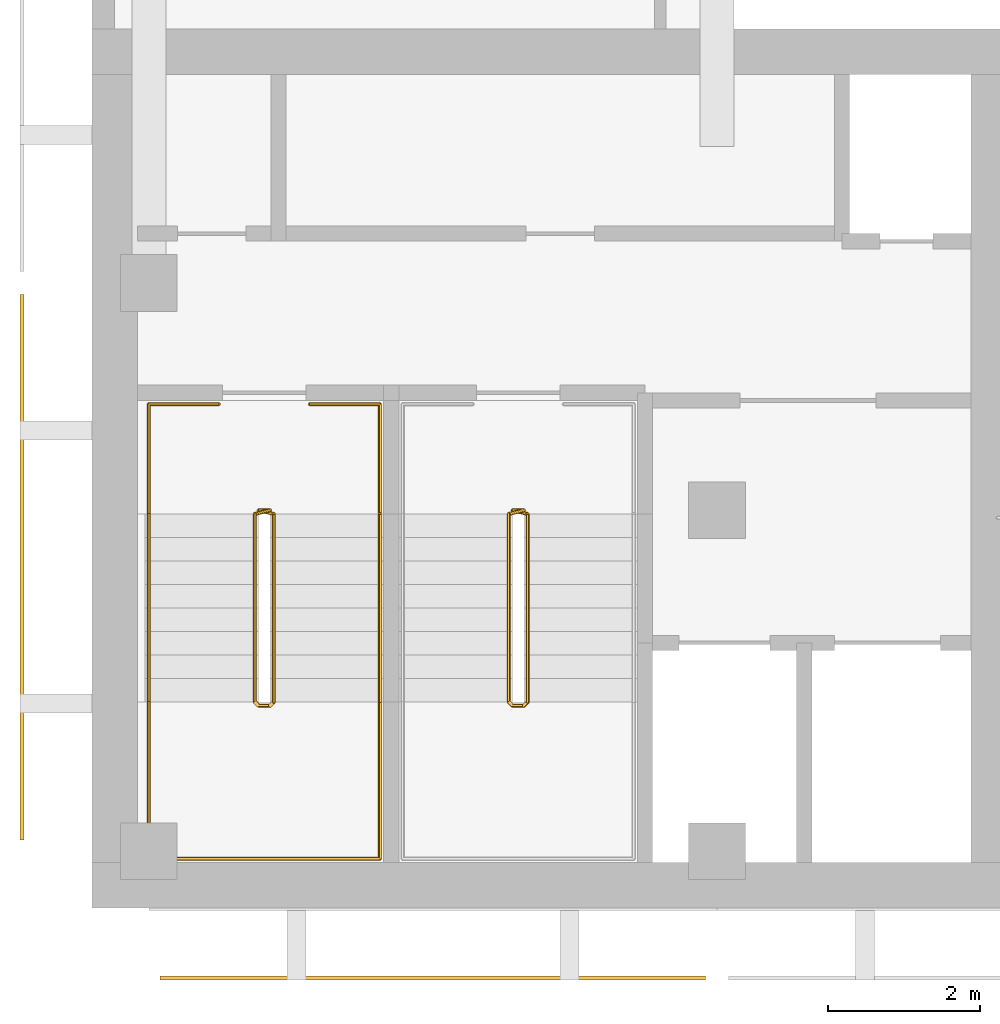
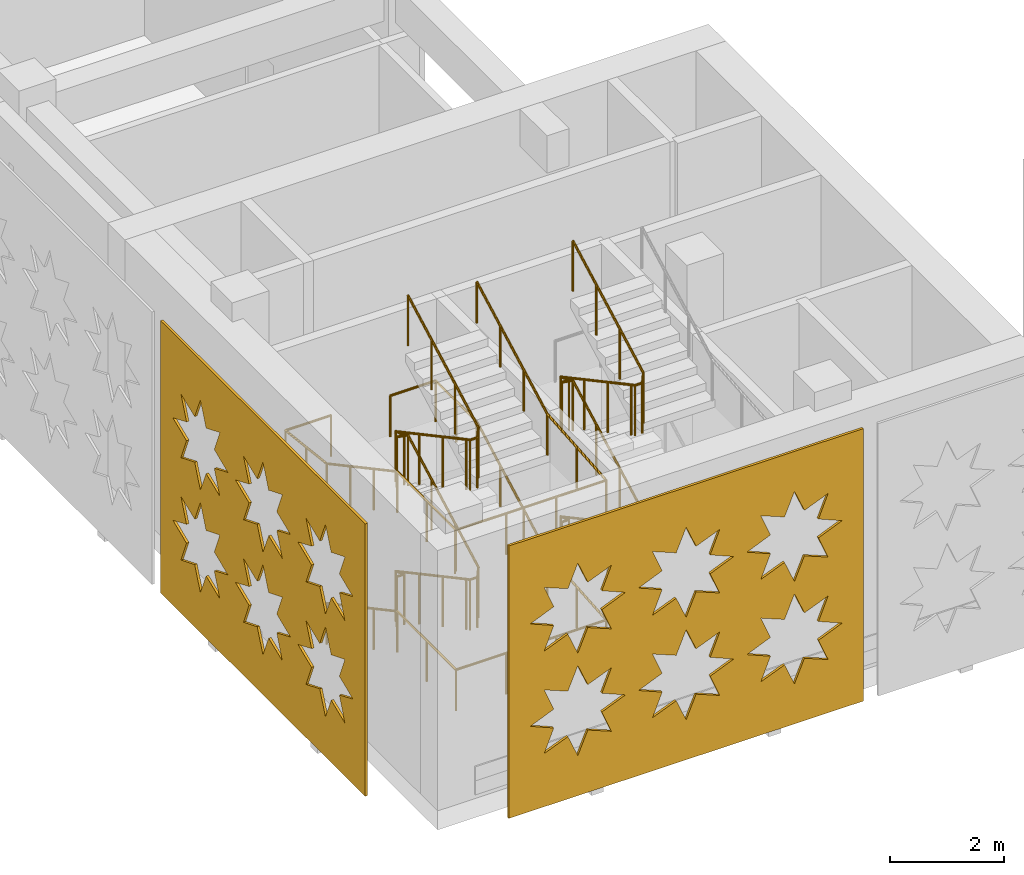
# One storey, part 28 of 46: 4 railings, 2 coverings.
"""IFC4 building model written with IfcOpenShell, lengths in metres."""

from ifc_helpers import new_model, si_unit, direction, frame, origin, origin_2d, place, context, subcontext, project, spatial, polyline, circle, outline, extrude, material, layer, layer_set, type_object, element, save


model = new_model("IFC4")

# Units and contexts
model_context = context("Model", 3, precision=1e-05, world=origin(), true_north=direction((0.0, 1.0)))
body_context = subcontext(model_context, "Body", "Model", "MODEL_VIEW")
ifc_project = project(units=[si_unit("LENGTHUNIT", "METRE"), si_unit("AREAUNIT", "SQUARE_METRE"), si_unit("VOLUMEUNIT", "CUBIC_METRE"), si_unit("PLANEANGLEUNIT", "RADIAN"), si_unit("MASSUNIT", "GRAM", prefix="KILO")], contexts=[model_context])

# Site, building, storey
site_placement = place(None, origin())
site = spatial("IfcSite", under=ifc_project, at=site_placement, CompositionType="ELEMENT")
building_placement = place(site_placement, origin())
building = spatial("IfcBuilding", under=site, at=building_placement, Name="Tessera Arch", CompositionType="ELEMENT")
storey_placement = place(building_placement, frame((0.0, 0.0, 8.0)))
storey = spatial("IfcBuildingStorey", under=building, at=storey_placement, Name="L01", CompositionType="ELEMENT", Elevation=8.0)

# Coverings
ifc_material_1 = material(Name="Anodised aluminium pale metal", Category="aluminium")
ifc_layer = layer(ifc_material_1, 0.050048828125)
ifc_layer_set = layer_set([ifc_layer], Name="Museum lattice skin panel")
covering_type = type_object("IfcCoveringType", Name="Museum lattice skin panel", PredefinedType="CLADDING", material=ifc_layer_set)
covering_1_placement = place(storey_placement, frame((-31.64990234375, -33.449951171875, 5.949951171875), z_axis=(0.0, 1.0, 0.0), x_axis=(1.0, 0.0, 0.0)))
element("IfcCovering", 1, at=covering_1_placement, inside=storey, type_object=covering_type, Name="Museum lattice skin L01 1-2", PredefinedType="CLADDING", context=body_context, shape_type="SweptSolid", body=[
    extrude(outline(polyline([(0.0, 0.0), (7.199951171875, 0.0), (7.199951171875, 5.849853515625), (0.0, 5.849853515625), (0.0, 0.0)]), holes=[polyline([(2.367919921875, 4.02490234375), (1.887939453125, 3.822998046875), (2.083984375, 3.341064453125), (1.601806640625, 3.536865234375), (1.39990234375, 3.056884765625), (1.197998046875, 3.536865234375), (0.7158203125, 3.341064453125), (0.911865234375, 3.822998046875), (0.431884765625, 4.02490234375), (0.911865234375, 4.22705078125), (0.7158203125, 4.708984375), (1.197998046875, 4.512939453125), (1.39990234375, 4.992919921875), (1.601806640625, 4.512939453125), (2.083984375, 4.708984375), (1.887939453125, 4.22705078125), (2.367919921875, 4.02490234375)]), polyline([(2.367919921875, 1.824951171875), (1.887939453125, 1.623046875), (2.083984375, 1.140869140625), (1.601806640625, 1.3369140625), (1.39990234375, 0.85693359375), (1.197998046875, 1.3369140625), (0.7158203125, 1.140869140625), (0.911865234375, 1.623046875), (0.431884765625, 1.824951171875), (0.911865234375, 2.02685546875), (0.7158203125, 2.509033203125), (1.197998046875, 2.31298828125), (1.39990234375, 2.79296875), (1.601806640625, 2.31298828125), (2.083984375, 2.509033203125), (1.887939453125, 2.02685546875), (2.367919921875, 1.824951171875)]), polyline([(4.56787109375, 4.02490234375), (4.087890625, 3.822998046875), (4.283935546875, 3.341064453125), (3.802001953125, 3.536865234375), (3.599853515625, 3.056884765625), (3.39794921875, 3.536865234375), (2.916015625, 3.341064453125), (3.11181640625, 3.822998046875), (2.6318359375, 4.02490234375), (3.11181640625, 4.22705078125), (2.916015625, 4.708984375), (3.39794921875, 4.512939453125), (3.599853515625, 4.992919921875), (3.802001953125, 4.512939453125), (4.283935546875, 4.708984375), (4.087890625, 4.22705078125), (4.56787109375, 4.02490234375)]), polyline([(4.56787109375, 1.824951171875), (4.087890625, 1.623046875), (4.283935546875, 1.140869140625), (3.802001953125, 1.3369140625), (3.599853515625, 0.85693359375), (3.39794921875, 1.3369140625), (2.916015625, 1.140869140625), (3.11181640625, 1.623046875), (2.6318359375, 1.824951171875), (3.11181640625, 2.02685546875), (2.916015625, 2.509033203125), (3.39794921875, 2.31298828125), (3.599853515625, 2.79296875), (3.802001953125, 2.31298828125), (4.283935546875, 2.509033203125), (4.087890625, 2.02685546875), (4.56787109375, 1.824951171875)]), polyline([(6.767822265625, 4.02490234375), (6.287841796875, 3.822998046875), (6.48388671875, 3.341064453125), (6.001953125, 3.536865234375), (5.7998046875, 3.056884765625), (5.597900390625, 3.536865234375), (5.115966796875, 3.341064453125), (5.31201171875, 3.822998046875), (4.831787109375, 4.02490234375), (5.31201171875, 4.22705078125), (5.115966796875, 4.708984375), (5.597900390625, 4.512939453125), (5.7998046875, 4.992919921875), (6.001953125, 4.512939453125), (6.48388671875, 4.708984375), (6.287841796875, 4.22705078125), (6.767822265625, 4.02490234375)]), polyline([(6.767822265625, 1.824951171875), (6.287841796875, 1.623046875), (6.48388671875, 1.140869140625), (6.001953125, 1.3369140625), (5.7998046875, 0.85693359375), (5.597900390625, 1.3369140625), (5.115966796875, 1.140869140625), (5.31201171875, 1.623046875), (4.831787109375, 1.824951171875), (5.31201171875, 2.02685546875), (5.115966796875, 2.509033203125), (5.597900390625, 2.31298828125), (5.7998046875, 2.79296875), (6.001953125, 2.31298828125), (6.48388671875, 2.509033203125), (6.287841796875, 2.02685546875), (6.767822265625, 1.824951171875)])]), origin(), (0.0, 0.0, -1.0), 0.050048828125),
])
covering_2_placement = place(storey_placement, frame((-33.449951171875, -24.449951171875, 5.949951171875), z_axis=(1.0, 0.0, 0.0), x_axis=(0.0, -1.0, 0.0)))
element("IfcCovering", 2, at=covering_2_placement, inside=storey, type_object=covering_type, Name="Museum lattice skin L01 6-13", PredefinedType="CLADDING", context=body_context, shape_type="SweptSolid", body=[
    extrude(outline(polyline([(0.0, 0.0), (7.199951171875, 0.0), (7.199951171875, 5.849853515625), (0.0, 5.849853515625), (0.0, 0.0)]), holes=[polyline([(2.3681640625, 4.02490234375), (1.887939453125, 3.822998046875), (2.083984375, 3.341064453125), (1.60205078125, 3.536865234375), (1.400146484375, 3.056884765625), (1.197998046875, 3.536865234375), (0.716064453125, 3.341064453125), (0.912109375, 3.822998046875), (0.43212890625, 4.02490234375), (0.912109375, 4.22705078125), (0.716064453125, 4.708984375), (1.197998046875, 4.512939453125), (1.400146484375, 4.992919921875), (1.60205078125, 4.512939453125), (2.083984375, 4.708984375), (1.887939453125, 4.22705078125), (2.3681640625, 4.02490234375)]), polyline([(2.3681640625, 1.824951171875), (1.887939453125, 1.623046875), (2.083984375, 1.140869140625), (1.60205078125, 1.3369140625), (1.400146484375, 0.85693359375), (1.197998046875, 1.3369140625), (0.716064453125, 1.140869140625), (0.912109375, 1.623046875), (0.43212890625, 1.824951171875), (0.912109375, 2.02685546875), (0.716064453125, 2.509033203125), (1.197998046875, 2.31298828125), (1.400146484375, 2.79296875), (1.60205078125, 2.31298828125), (2.083984375, 2.509033203125), (1.887939453125, 2.02685546875), (2.3681640625, 1.824951171875)]), polyline([(4.568115234375, 4.02490234375), (4.088134765625, 3.822998046875), (4.283935546875, 3.341064453125), (3.802001953125, 3.536865234375), (3.60009765625, 3.056884765625), (3.39794921875, 3.536865234375), (2.916015625, 3.341064453125), (3.112060546875, 3.822998046875), (2.632080078125, 4.02490234375), (3.112060546875, 4.22705078125), (2.916015625, 4.708984375), (3.39794921875, 4.512939453125), (3.60009765625, 4.992919921875), (3.802001953125, 4.512939453125), (4.283935546875, 4.708984375), (4.088134765625, 4.22705078125), (4.568115234375, 4.02490234375)]), polyline([(4.568115234375, 1.824951171875), (4.088134765625, 1.623046875), (4.283935546875, 1.140869140625), (3.802001953125, 1.3369140625), (3.60009765625, 0.85693359375), (3.39794921875, 1.3369140625), (2.916015625, 1.140869140625), (3.112060546875, 1.623046875), (2.632080078125, 1.824951171875), (3.112060546875, 2.02685546875), (2.916015625, 2.509033203125), (3.39794921875, 2.31298828125), (3.60009765625, 2.79296875), (3.802001953125, 2.31298828125), (4.283935546875, 2.509033203125), (4.088134765625, 2.02685546875), (4.568115234375, 1.824951171875)]), polyline([(6.76806640625, 4.02490234375), (6.2880859375, 3.822998046875), (6.484130859375, 3.341064453125), (6.001953125, 3.536865234375), (5.800048828125, 3.056884765625), (5.59814453125, 3.536865234375), (5.115966796875, 3.341064453125), (5.31201171875, 3.822998046875), (4.83203125, 4.02490234375), (5.31201171875, 4.22705078125), (5.115966796875, 4.708984375), (5.59814453125, 4.512939453125), (5.800048828125, 4.992919921875), (6.001953125, 4.512939453125), (6.484130859375, 4.708984375), (6.2880859375, 4.22705078125), (6.76806640625, 4.02490234375)]), polyline([(6.76806640625, 1.824951171875), (6.2880859375, 1.623046875), (6.484130859375, 1.140869140625), (6.001953125, 1.3369140625), (5.800048828125, 0.85693359375), (5.59814453125, 1.3369140625), (5.115966796875, 1.140869140625), (5.31201171875, 1.623046875), (4.83203125, 1.824951171875), (5.31201171875, 2.02685546875), (5.115966796875, 2.509033203125), (5.59814453125, 2.31298828125), (5.800048828125, 2.79296875), (6.001953125, 2.31298828125), (6.484130859375, 2.509033203125), (6.2880859375, 2.02685546875), (6.76806640625, 1.824951171875)])]), origin(), (0.0, 0.0, -1.0), 0.050048828125),
])

# Railings
ifc_material_2 = material(Name="Painted steel balustrade", Category="steel")
railing_type_1 = type_object("IfcRailingType", Name="Stair guard 1100", PredefinedType="GUARDRAIL", material=ifc_material_2)
railing_1_placement = place(storey_placement, frame((-30.35009765625, -27.300048828125, 0.0)))
element("IfcRailing", 3, at=railing_1_placement, inside=storey, type_object=railing_type_1, Name="L01 M2a stair guard 1", PredefinedType="GUARDRAIL", context=body_context, shape_type="SweptSolid", body=[
    extrude(circle(Radius=0.02392578125, at=origin_2d()), frame((-0.00390625, 0.0, 1.076171875), z_axis=(1.0, 0.0, 0.0), x_axis=(0.0, 1.0, 0.0)), (0.0, 0.0, 1.0), 0.158203125),
    extrude(circle(Radius=0.02392578125, at=origin_2d()), frame((0.153076171875, 0.000732421875, 1.073486328125), z_axis=(-0.754182335027, -0.188775798145, 0.628945707965), x_axis=(0.242814311512, -0.970072785993, 0.0)), (0.0, 0.0, 1.0), 0.273193359375),
    extrude(circle(Radius=0.02392578125, at=origin_2d()), frame((-0.0498046875, -0.046630859375, 1.240966796875), z_axis=(0.0, -0.880785522881, 0.473515430248), x_axis=(1.0, 0.0, 0.0)), (0.0, 0.0, 1.0), 2.82373046875),
    extrude(circle(Radius=0.02392578125, at=origin_2d()), frame((-0.052734375, -2.527099609375, 2.576171875), z_axis=(0.707106781187, -0.707106781187, 0.0), x_axis=(0.707106781187, 0.707106781187, 0.0)), (0.0, 0.0, 1.0), 0.078369140625),
    extrude(circle(Radius=0.02392578125, at=origin_2d()), frame((-0.00390625, -2.579833984375, 2.576171875), z_axis=(1.0, 0.0, 0.0), x_axis=(0.0, 1.0, 0.0)), (0.0, 0.0, 1.0), 0.158203125),
    extrude(circle(Radius=0.02392578125, at=origin_2d()), frame((0.14892578125, -2.5810546875, 2.572265625), z_axis=(0.276389281352, 0.275041040955, 0.920848191041), x_axis=(-0.705375805398, 0.708833529934, 0.0)), (0.0, 0.0, 1.0), 0.18896484375),
    extrude(circle(Radius=0.02392578125, at=origin_2d()), frame((0.2001953125, -2.533447265625, 2.740966796875), z_axis=(0.0, 0.880785522881, 0.473515430248), x_axis=(-1.0, 0.0, 0.0)), (0.0, 0.0, 1.0), 2.82373046875),
    extrude(circle(Radius=0.02392578125, at=origin_2d()), frame((0.2041015625, -0.051025390625, 4.076171875), z_axis=(-0.970142500145, 0.242535625036, 0.0), x_axis=(-0.242535625036, -0.970142500145, 0.0)), (0.0, 0.0, 1.0), 0.21435546875),
    extrude(circle(Radius=0.02392578125, at=origin_2d()), frame((-0.00390625, 0.0, 4.076171875), z_axis=(1.0, 0.0, 0.0), x_axis=(0.0, 1.0, 0.0)), (0.0, 0.0, 1.0), 0.158203125),
    extrude(circle(Radius=0.02392578125, at=origin_2d()), frame((0.153076171875, 0.000732421875, 4.073486328125), z_axis=(-0.754182335027, -0.188775798145, 0.628945707965), x_axis=(0.242814311512, -0.970072785993, 0.0)), (0.0, 0.0, 1.0), 0.273193359375),
    extrude(circle(Radius=0.02392578125, at=origin_2d()), frame((-0.0498046875, -0.046630859375, 4.240966796875), z_axis=(0.0, -0.880785522881, 0.473515430248), x_axis=(1.0, 0.0, 0.0)), (0.0, 0.0, 1.0), 2.82373046875),
    extrude(circle(Radius=0.02392578125, at=origin_2d()), frame((-0.052734375, -2.527099609375, 5.576171875), z_axis=(0.707106781187, -0.707106781187, 0.0), x_axis=(0.707106781187, 0.707106781187, 0.0)), (0.0, 0.0, 1.0), 0.078369140625),
    extrude(circle(Radius=0.02392578125, at=origin_2d()), frame((-0.00390625, -2.579833984375, 5.576171875), z_axis=(1.0, 0.0, 0.0), x_axis=(0.0, 1.0, 0.0)), (0.0, 0.0, 1.0), 0.158203125),
    extrude(circle(Radius=0.02392578125, at=origin_2d()), frame((0.14892578125, -2.5810546875, 5.572265625), z_axis=(0.276389281352, 0.275041040955, 0.920848191041), x_axis=(-0.705375805398, 0.708833529934, 0.0)), (0.0, 0.0, 1.0), 0.18896484375),
    extrude(circle(Radius=0.02392578125, at=origin_2d()), frame((0.2001953125, -2.533447265625, 5.740966796875), z_axis=(0.0, 0.880785522881, 0.473515430248), x_axis=(-1.0, 0.0, 0.0)), (0.0, 0.0, 1.0), 2.82373046875),
    extrude(circle(Radius=0.02099609375, at=origin_2d()), origin(), (0.0, 0.0, 1.0), 1.06396484375),
    extrude(circle(Radius=0.02099609375, at=origin_2d()), frame((0.150146484375, 0.0, 0.0)), (0.0, 0.0, 1.0), 1.06396484375),
    extrude(circle(Radius=0.02099609375, at=origin_2d()), frame((-0.0498046875, -0.050048828125, 0.166748046875)), (0.0, 0.0, 1.0), 1.06396484375),
    extrude(circle(Radius=0.02099609375, at=origin_2d()), frame((-0.0498046875, -0.876708984375, 0.611083984375)), (0.0, 0.0, 1.0), 1.06396484375),
    extrude(circle(Radius=0.02099609375, at=origin_2d()), frame((-0.0498046875, -1.703369140625, 1.0556640625)), (0.0, 0.0, 1.0), 1.06396484375),
    extrude(circle(Radius=0.02099609375, at=origin_2d()), frame((-0.0498046875, -2.530029296875, 1.5)), (0.0, 0.0, 1.0), 1.06396484375),
    extrude(circle(Radius=0.02099609375, at=origin_2d()), frame((0.0, -2.579833984375, 1.5)), (0.0, 0.0, 1.0), 1.06396484375),
    extrude(circle(Radius=0.02099609375, at=origin_2d()), frame((0.150146484375, -2.579833984375, 1.5)), (0.0, 0.0, 1.0), 1.06396484375),
    extrude(circle(Radius=0.02099609375, at=origin_2d()), frame((0.2001953125, -2.530029296875, 1.666748046875)), (0.0, 0.0, 1.0), 1.06396484375),
    extrude(circle(Radius=0.02099609375, at=origin_2d()), frame((0.2001953125, -1.703369140625, 2.111083984375)), (0.0, 0.0, 1.0), 1.06396484375),
    extrude(circle(Radius=0.02099609375, at=origin_2d()), frame((0.2001953125, -0.876708984375, 2.5556640625)), (0.0, 0.0, 1.0), 1.06396484375),
    extrude(circle(Radius=0.02099609375, at=origin_2d()), frame((0.2001953125, -0.050048828125, 3.0)), (0.0, 0.0, 1.0), 1.06396484375),
    extrude(circle(Radius=0.02099609375, at=origin_2d()), frame((0.0, 0.0, 3.0)), (0.0, 0.0, 1.0), 1.06396484375),
    extrude(circle(Radius=0.02099609375, at=origin_2d()), frame((0.150146484375, 0.0, 3.0)), (0.0, 0.0, 1.0), 1.06396484375),
    extrude(circle(Radius=0.02099609375, at=origin_2d()), frame((-0.0498046875, -0.050048828125, 3.166748046875)), (0.0, 0.0, 1.0), 1.06396484375),
    extrude(circle(Radius=0.02099609375, at=origin_2d()), frame((-0.0498046875, -0.876708984375, 3.611083984375)), (0.0, 0.0, 1.0), 1.06396484375),
    extrude(circle(Radius=0.02099609375, at=origin_2d()), frame((-0.0498046875, -1.703369140625, 4.0556640625)), (0.0, 0.0, 1.0), 1.06396484375),
    extrude(circle(Radius=0.02099609375, at=origin_2d()), frame((-0.0498046875, -2.530029296875, 4.5)), (0.0, 0.0, 1.0), 1.06396484375),
    extrude(circle(Radius=0.02099609375, at=origin_2d()), frame((0.0, -2.579833984375, 4.5)), (0.0, 0.0, 1.0), 1.06396484375),
    extrude(circle(Radius=0.02099609375, at=origin_2d()), frame((0.150146484375, -2.579833984375, 4.5)), (0.0, 0.0, 1.0), 1.06396484375),
    extrude(circle(Radius=0.02099609375, at=origin_2d()), frame((0.2001953125, -2.530029296875, 4.666748046875)), (0.0, 0.0, 1.0), 1.06396484375),
    extrude(circle(Radius=0.02099609375, at=origin_2d()), frame((0.2001953125, -1.703369140625, 5.111083984375)), (0.0, 0.0, 1.0), 1.06396484375),
    extrude(circle(Radius=0.02099609375, at=origin_2d()), frame((0.2001953125, -0.876708984375, 5.5556640625)), (0.0, 0.0, 1.0), 1.06396484375),
    extrude(circle(Radius=0.02099609375, at=origin_2d()), frame((0.2001953125, -0.050048828125, 6.0)), (0.0, 0.0, 1.0), 1.06396484375),
])
railing_2_placement = place(storey_placement, frame((-27.0, -27.300048828125, 0.0)))
element("IfcRailing", 4, at=railing_2_placement, inside=storey, type_object=railing_type_1, Name="L01 M2b stair guard 1", PredefinedType="GUARDRAIL", context=body_context, shape_type="SweptSolid", body=[
    extrude(circle(Radius=0.02392578125, at=origin_2d()), frame((-0.00390625, 0.0, 1.076171875), z_axis=(1.0, 0.0, 0.0), x_axis=(0.0, 1.0, 0.0)), (0.0, 0.0, 1.0), 0.157958984375),
    extrude(circle(Radius=0.02392578125, at=origin_2d()), frame((0.15283203125, 0.000732421875, 1.073486328125), z_axis=(-0.754182335027, -0.188775798145, 0.628945707965), x_axis=(0.242814311512, -0.970072785993, 0.0)), (0.0, 0.0, 1.0), 0.273193359375),
    extrude(circle(Radius=0.02392578125, at=origin_2d()), frame((-0.050048828125, -0.046630859375, 1.240966796875), z_axis=(0.0, -0.880785522881, 0.473515430248), x_axis=(1.0, 0.0, 0.0)), (0.0, 0.0, 1.0), 2.82373046875),
    extrude(circle(Radius=0.02392578125, at=origin_2d()), frame((-0.052978515625, -2.527099609375, 2.576171875), z_axis=(0.708833529934, -0.705375805398, 0.0), x_axis=(0.705375805398, 0.708833529934, 0.0)), (0.0, 0.0, 1.0), 0.07861328125),
    extrude(circle(Radius=0.02392578125, at=origin_2d()), frame((-0.00390625, -2.579833984375, 2.576171875), z_axis=(1.0, 0.0, 0.0), x_axis=(0.0, 1.0, 0.0)), (0.0, 0.0, 1.0), 0.157958984375),
    extrude(circle(Radius=0.02392578125, at=origin_2d()), frame((0.148681640625, -2.5810546875, 2.572265625), z_axis=(0.276389281352, 0.275041040955, 0.920848191041), x_axis=(-0.705375805398, 0.708833529934, 0.0)), (0.0, 0.0, 1.0), 0.18896484375),
    extrude(circle(Radius=0.02392578125, at=origin_2d()), frame((0.199951171875, -2.533447265625, 2.740966796875), z_axis=(0.0, 0.880785522881, 0.473515430248), x_axis=(-1.0, 0.0, 0.0)), (0.0, 0.0, 1.0), 2.82373046875),
    extrude(circle(Radius=0.02392578125, at=origin_2d()), frame((0.203857421875, -0.051025390625, 4.076171875), z_axis=(-0.970072785993, 0.242814311512, 0.0), x_axis=(-0.242814311512, -0.970072785993, 0.0)), (0.0, 0.0, 1.0), 0.214111328125),
    extrude(circle(Radius=0.02392578125, at=origin_2d()), frame((-0.00390625, 0.0, 4.076171875), z_axis=(1.0, 0.0, 0.0), x_axis=(0.0, 1.0, 0.0)), (0.0, 0.0, 1.0), 0.157958984375),
    extrude(circle(Radius=0.02392578125, at=origin_2d()), frame((0.15283203125, 0.000732421875, 4.073486328125), z_axis=(-0.754182335027, -0.188775798145, 0.628945707965), x_axis=(0.242814311512, -0.970072785993, 0.0)), (0.0, 0.0, 1.0), 0.273193359375),
    extrude(circle(Radius=0.02392578125, at=origin_2d()), frame((-0.050048828125, -0.046630859375, 4.240966796875), z_axis=(0.0, -0.880785522881, 0.473515430248), x_axis=(1.0, 0.0, 0.0)), (0.0, 0.0, 1.0), 2.82373046875),
    extrude(circle(Radius=0.02392578125, at=origin_2d()), frame((-0.052978515625, -2.527099609375, 5.576171875), z_axis=(0.708833529934, -0.705375805398, 0.0), x_axis=(0.705375805398, 0.708833529934, 0.0)), (0.0, 0.0, 1.0), 0.07861328125),
    extrude(circle(Radius=0.02392578125, at=origin_2d()), frame((-0.00390625, -2.579833984375, 5.576171875), z_axis=(1.0, 0.0, 0.0), x_axis=(0.0, 1.0, 0.0)), (0.0, 0.0, 1.0), 0.157958984375),
    extrude(circle(Radius=0.02392578125, at=origin_2d()), frame((0.148681640625, -2.5810546875, 5.572265625), z_axis=(0.276389281352, 0.275041040955, 0.920848191041), x_axis=(-0.705375805398, 0.708833529934, 0.0)), (0.0, 0.0, 1.0), 0.18896484375),
    extrude(circle(Radius=0.02392578125, at=origin_2d()), frame((0.199951171875, -2.533447265625, 5.740966796875), z_axis=(0.0, 0.880785522881, 0.473515430248), x_axis=(-1.0, 0.0, 0.0)), (0.0, 0.0, 1.0), 2.82373046875),
    extrude(circle(Radius=0.02099609375, at=origin_2d()), origin(), (0.0, 0.0, 1.0), 1.06396484375),
    extrude(circle(Radius=0.02099609375, at=origin_2d()), frame((0.14990234375, 0.0, 0.0)), (0.0, 0.0, 1.0), 1.06396484375),
    extrude(circle(Radius=0.02099609375, at=origin_2d()), frame((-0.050048828125, -0.050048828125, 0.166748046875)), (0.0, 0.0, 1.0), 1.06396484375),
    extrude(circle(Radius=0.02099609375, at=origin_2d()), frame((-0.050048828125, -0.876708984375, 0.611083984375)), (0.0, 0.0, 1.0), 1.06396484375),
    extrude(circle(Radius=0.02099609375, at=origin_2d()), frame((-0.050048828125, -1.703369140625, 1.0556640625)), (0.0, 0.0, 1.0), 1.06396484375),
    extrude(circle(Radius=0.02099609375, at=origin_2d()), frame((-0.050048828125, -2.530029296875, 1.5)), (0.0, 0.0, 1.0), 1.06396484375),
    extrude(circle(Radius=0.02099609375, at=origin_2d()), frame((0.0, -2.579833984375, 1.5)), (0.0, 0.0, 1.0), 1.06396484375),
    extrude(circle(Radius=0.02099609375, at=origin_2d()), frame((0.14990234375, -2.579833984375, 1.5)), (0.0, 0.0, 1.0), 1.06396484375),
    extrude(circle(Radius=0.02099609375, at=origin_2d()), frame((0.199951171875, -2.530029296875, 1.666748046875)), (0.0, 0.0, 1.0), 1.06396484375),
    extrude(circle(Radius=0.02099609375, at=origin_2d()), frame((0.199951171875, -1.703369140625, 2.111083984375)), (0.0, 0.0, 1.0), 1.06396484375),
    extrude(circle(Radius=0.02099609375, at=origin_2d()), frame((0.199951171875, -0.876708984375, 2.5556640625)), (0.0, 0.0, 1.0), 1.06396484375),
    extrude(circle(Radius=0.02099609375, at=origin_2d()), frame((0.199951171875, -0.050048828125, 3.0)), (0.0, 0.0, 1.0), 1.06396484375),
    extrude(circle(Radius=0.02099609375, at=origin_2d()), frame((0.0, 0.0, 3.0)), (0.0, 0.0, 1.0), 1.06396484375),
    extrude(circle(Radius=0.02099609375, at=origin_2d()), frame((0.14990234375, 0.0, 3.0)), (0.0, 0.0, 1.0), 1.06396484375),
    extrude(circle(Radius=0.02099609375, at=origin_2d()), frame((-0.050048828125, -0.050048828125, 3.166748046875)), (0.0, 0.0, 1.0), 1.06396484375),
    extrude(circle(Radius=0.02099609375, at=origin_2d()), frame((-0.050048828125, -0.876708984375, 3.611083984375)), (0.0, 0.0, 1.0), 1.06396484375),
    extrude(circle(Radius=0.02099609375, at=origin_2d()), frame((-0.050048828125, -1.703369140625, 4.0556640625)), (0.0, 0.0, 1.0), 1.06396484375),
    extrude(circle(Radius=0.02099609375, at=origin_2d()), frame((-0.050048828125, -2.530029296875, 4.5)), (0.0, 0.0, 1.0), 1.06396484375),
    extrude(circle(Radius=0.02099609375, at=origin_2d()), frame((0.0, -2.579833984375, 4.5)), (0.0, 0.0, 1.0), 1.06396484375),
    extrude(circle(Radius=0.02099609375, at=origin_2d()), frame((0.14990234375, -2.579833984375, 4.5)), (0.0, 0.0, 1.0), 1.06396484375),
    extrude(circle(Radius=0.02099609375, at=origin_2d()), frame((0.199951171875, -2.530029296875, 4.666748046875)), (0.0, 0.0, 1.0), 1.06396484375),
    extrude(circle(Radius=0.02099609375, at=origin_2d()), frame((0.199951171875, -1.703369140625, 5.111083984375)), (0.0, 0.0, 1.0), 1.06396484375),
    extrude(circle(Radius=0.02099609375, at=origin_2d()), frame((0.199951171875, -0.876708984375, 5.5556640625)), (0.0, 0.0, 1.0), 1.06396484375),
    extrude(circle(Radius=0.02099609375, at=origin_2d()), frame((0.199951171875, -0.050048828125, 6.0)), (0.0, 0.0, 1.0), 1.06396484375),
])
ifc_material_3 = material(Name="Painted steel handrail", Category="steel")
railing_type_2 = type_object("IfcRailingType", Name="Stair handrail 900", PredefinedType="HANDRAIL", material=ifc_material_3)
railing_3_placement = place(storey_placement, frame((-31.800048828125, -27.35009765625, 0.166748046875)))
element("IfcRailing", 5, at=railing_3_placement, inside=storey, type_object=railing_type_2, Name="L01 M2a stair handrail", PredefinedType="HANDRAIL", context=body_context, shape_type="SweptSolid", body=[
    extrude(circle(Radius=0.02392578125, at=origin_2d()), frame((0.0, 0.00341796875, 0.8740234375), z_axis=(0.0, -0.880785522881, 0.473515430248), x_axis=(1.0, 0.0, 0.0)), (0.0, 0.0, 1.0), 2.82373046875),
    extrude(circle(Radius=0.02392578125, at=origin_2d()), frame((0.0, -2.47607421875, 2.208984375), z_axis=(0.0, -1.0, 0.0), x_axis=(1.0, 0.0, 0.0)), (0.0, 0.0, 1.0), 2.077880859375),
    extrude(circle(Radius=0.02392578125, at=origin_2d()), frame((-0.00390625, -4.5498046875, 2.208984375), z_axis=(1.0, 0.0, 0.0), x_axis=(0.0, 1.0, 0.0)), (0.0, 0.0, 1.0), 3.05810546875),
    extrude(circle(Radius=0.02392578125, at=origin_2d()), frame((3.050048828125, -4.5537109375, 2.208740234375), z_axis=(0.0, 0.99677063694, 0.080301290992), x_axis=(-1.0, 0.0, 0.0)), (0.0, 0.0, 1.0), 2.08447265625),
    extrude(circle(Radius=0.02392578125, at=origin_2d()), frame((3.050048828125, -2.4833984375, 2.3740234375), z_axis=(0.0, 0.880785522881, 0.473515430248), x_axis=(-1.0, 0.0, 0.0)), (0.0, 0.0, 1.0), 2.82373046875),
    extrude(circle(Radius=0.02392578125, at=origin_2d()), frame((3.050048828125, -0.00390625, 3.708984375), z_axis=(0.0, 1.0, 0.0), x_axis=(-1.0, 0.0, 0.0)), (0.0, 0.0, 1.0), 1.458251953125),
    extrude(circle(Radius=0.02392578125, at=origin_2d()), frame((3.053955078125, 1.4501953125, 3.708984375), z_axis=(-1.0, 0.0, 0.0), x_axis=(0.0, -1.0, 0.0)), (0.0, 0.0, 1.0), 0.93310546875),
    extrude(circle(Radius=0.02099609375, at=origin_2d()), origin(), (0.0, 0.0, 1.0), 0.86376953125),
    extrude(circle(Radius=0.02099609375, at=origin_2d()), frame((0.0, -0.82666015625, 0.4443359375)), (0.0, 0.0, 1.0), 0.86376953125),
    extrude(circle(Radius=0.02099609375, at=origin_2d()), frame((0.0, -1.6533203125, 0.888916015625)), (0.0, 0.0, 1.0), 0.86376953125),
    extrude(circle(Radius=0.02099609375, at=origin_2d()), frame((0.0, -2.47998046875, 1.333251953125)), (0.0, 0.0, 1.0), 0.86376953125),
    extrude(circle(Radius=0.02099609375, at=origin_2d()), frame((0.0, -3.514892578125, 1.333251953125)), (0.0, 0.0, 1.0), 0.86376953125),
    extrude(circle(Radius=0.02099609375, at=origin_2d()), frame((0.0, -4.5498046875, 1.333251953125)), (0.0, 0.0, 1.0), 0.86376953125),
    extrude(circle(Radius=0.02099609375, at=origin_2d()), frame((1.0166015625, -4.5498046875, 1.333251953125)), (0.0, 0.0, 1.0), 0.86376953125),
    extrude(circle(Radius=0.02099609375, at=origin_2d()), frame((2.033447265625, -4.5498046875, 1.333251953125)), (0.0, 0.0, 1.0), 0.86376953125),
    extrude(circle(Radius=0.02099609375, at=origin_2d()), frame((3.050048828125, -4.5498046875, 1.333251953125)), (0.0, 0.0, 1.0), 0.86376953125),
    extrude(circle(Radius=0.02099609375, at=origin_2d()), frame((3.050048828125, -3.514892578125, 1.41650390625)), (0.0, 0.0, 1.0), 0.86376953125),
    extrude(circle(Radius=0.02099609375, at=origin_2d()), frame((3.050048828125, -2.47998046875, 1.5)), (0.0, 0.0, 1.0), 0.86376953125),
    extrude(circle(Radius=0.02099609375, at=origin_2d()), frame((3.050048828125, -1.6533203125, 1.9443359375)), (0.0, 0.0, 1.0), 0.86376953125),
    extrude(circle(Radius=0.02099609375, at=origin_2d()), frame((3.050048828125, -0.82666015625, 2.388916015625)), (0.0, 0.0, 1.0), 0.86376953125),
    extrude(circle(Radius=0.02099609375, at=origin_2d()), frame((3.050048828125, 0.0, 2.833251953125)), (0.0, 0.0, 1.0), 0.86376953125),
    extrude(circle(Radius=0.02099609375, at=origin_2d()), frame((3.050048828125, 0.72509765625, 2.833251953125)), (0.0, 0.0, 1.0), 0.86376953125),
    extrude(circle(Radius=0.02099609375, at=origin_2d()), frame((3.050048828125, 1.4501953125, 2.833251953125)), (0.0, 0.0, 1.0), 0.86376953125),
    extrude(circle(Radius=0.02099609375, at=origin_2d()), frame((2.125, 1.4501953125, 2.833251953125)), (0.0, 0.0, 1.0), 0.86376953125),
])
railing_4_placement = place(storey_placement, frame((-30.875, -25.89990234375, 3.0)))
element("IfcRailing", 6, at=railing_4_placement, inside=storey, type_object=railing_type_2, Name="L01 M2a stair handrail 2", PredefinedType="HANDRAIL", context=body_context, shape_type="SweptSolid", body=[
    extrude(circle(Radius=0.02392578125, at=origin_2d()), frame((0.00390625, 0.0, 0.8759765625), z_axis=(-1.0, 0.0, 0.0), x_axis=(0.0, -1.0, 0.0)), (0.0, 0.0, 1.0), 0.93310546875),
    extrude(circle(Radius=0.02392578125, at=origin_2d()), frame((-0.925048828125, 0.00390625, 0.87548828125), z_axis=(0.0, -0.993454271282, 0.114230516378), x_axis=(1.0, 0.0, 0.0)), (0.0, 0.0, 1.0), 1.4677734375),
    extrude(circle(Radius=0.02392578125, at=origin_2d()), frame((-0.925048828125, -1.44677734375, 1.040771484375), z_axis=(0.0, -0.880785522881, 0.473515430248), x_axis=(1.0, 0.0, 0.0)), (0.0, 0.0, 1.0), 2.82373046875),
    extrude(circle(Radius=0.02392578125, at=origin_2d()), frame((-0.925048828125, -3.92626953125, 2.3759765625), z_axis=(0.0, -1.0, 0.0), x_axis=(1.0, 0.0, 0.0)), (0.0, 0.0, 1.0), 2.077880859375),
    extrude(circle(Radius=0.02392578125, at=origin_2d()), frame((-0.928955078125, -6.0, 2.3759765625), z_axis=(1.0, 0.0, 0.0), x_axis=(0.0, 1.0, 0.0)), (0.0, 0.0, 1.0), 3.05810546875),
    extrude(circle(Radius=0.02392578125, at=origin_2d()), frame((2.125, -6.00390625, 2.37548828125), z_axis=(0.0, 0.99677063694, 0.080301290992), x_axis=(-1.0, 0.0, 0.0)), (0.0, 0.0, 1.0), 2.08447265625),
    extrude(circle(Radius=0.02392578125, at=origin_2d()), frame((2.125, -3.93359375, 2.540771484375), z_axis=(0.0, 0.880785522881, 0.473515430248), x_axis=(-1.0, 0.0, 0.0)), (0.0, 0.0, 1.0), 2.82373046875),
    extrude(circle(Radius=0.02099609375, at=origin_2d()), origin(), (0.0, 0.0, 1.0), 0.86376953125),
    extrude(circle(Radius=0.02099609375, at=origin_2d()), frame((-0.925048828125, 0.0, 0.0)), (0.0, 0.0, 1.0), 0.86376953125),
    extrude(circle(Radius=0.02099609375, at=origin_2d()), frame((-0.925048828125, -0.72509765625, 0.08349609375)), (0.0, 0.0, 1.0), 0.86376953125),
    extrude(circle(Radius=0.02099609375, at=origin_2d()), frame((-0.925048828125, -1.4501953125, 0.166748046875)), (0.0, 0.0, 1.0), 0.86376953125),
    extrude(circle(Radius=0.02099609375, at=origin_2d()), frame((-0.925048828125, -2.27685546875, 0.611083984375)), (0.0, 0.0, 1.0), 0.86376953125),
    extrude(circle(Radius=0.02099609375, at=origin_2d()), frame((-0.925048828125, -3.103515625, 1.0556640625)), (0.0, 0.0, 1.0), 0.86376953125),
    extrude(circle(Radius=0.02099609375, at=origin_2d()), frame((-0.925048828125, -3.93017578125, 1.5)), (0.0, 0.0, 1.0), 0.86376953125),
    extrude(circle(Radius=0.02099609375, at=origin_2d()), frame((-0.925048828125, -4.965087890625, 1.5)), (0.0, 0.0, 1.0), 0.86376953125),
    extrude(circle(Radius=0.02099609375, at=origin_2d()), frame((-0.925048828125, -6.0, 1.5)), (0.0, 0.0, 1.0), 0.86376953125),
    extrude(circle(Radius=0.02099609375, at=origin_2d()), frame((0.091552734375, -6.0, 1.5)), (0.0, 0.0, 1.0), 0.86376953125),
    extrude(circle(Radius=0.02099609375, at=origin_2d()), frame((1.1083984375, -6.0, 1.5)), (0.0, 0.0, 1.0), 0.86376953125),
    extrude(circle(Radius=0.02099609375, at=origin_2d()), frame((2.125, -6.0, 1.5)), (0.0, 0.0, 1.0), 0.86376953125),
    extrude(circle(Radius=0.02099609375, at=origin_2d()), frame((2.125, -4.965087890625, 1.58349609375)), (0.0, 0.0, 1.0), 0.86376953125),
    extrude(circle(Radius=0.02099609375, at=origin_2d()), frame((2.125, -3.93017578125, 1.666748046875)), (0.0, 0.0, 1.0), 0.86376953125),
    extrude(circle(Radius=0.02099609375, at=origin_2d()), frame((2.125, -3.103515625, 2.111083984375)), (0.0, 0.0, 1.0), 0.86376953125),
    extrude(circle(Radius=0.02099609375, at=origin_2d()), frame((2.125, -2.27685546875, 2.5556640625)), (0.0, 0.0, 1.0), 0.86376953125),
    extrude(circle(Radius=0.02099609375, at=origin_2d()), frame((2.125, -1.4501953125, 3.0)), (0.0, 0.0, 1.0), 0.86376953125),
])

save(model, "model.ifc")
